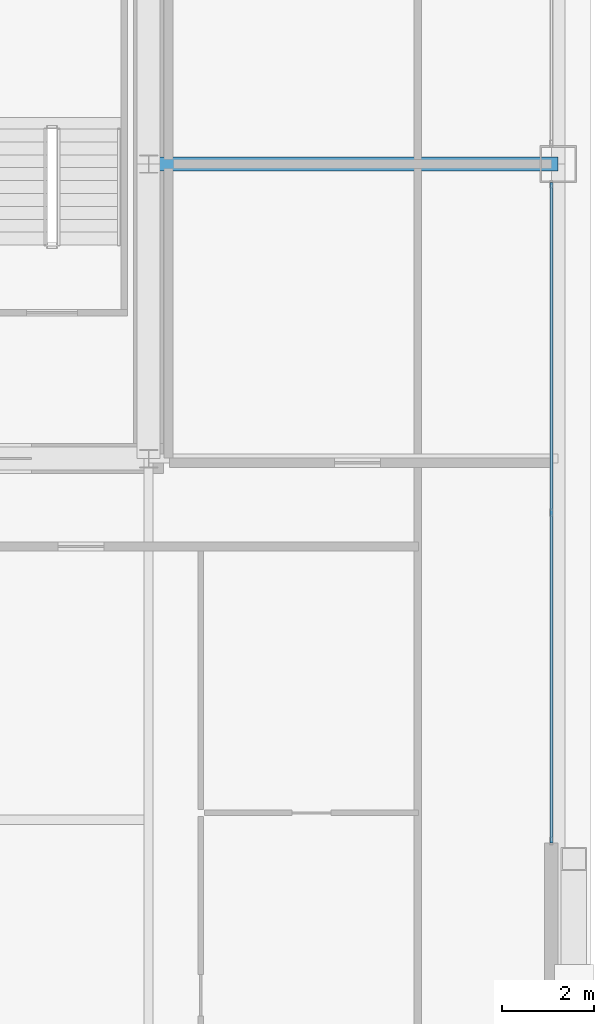
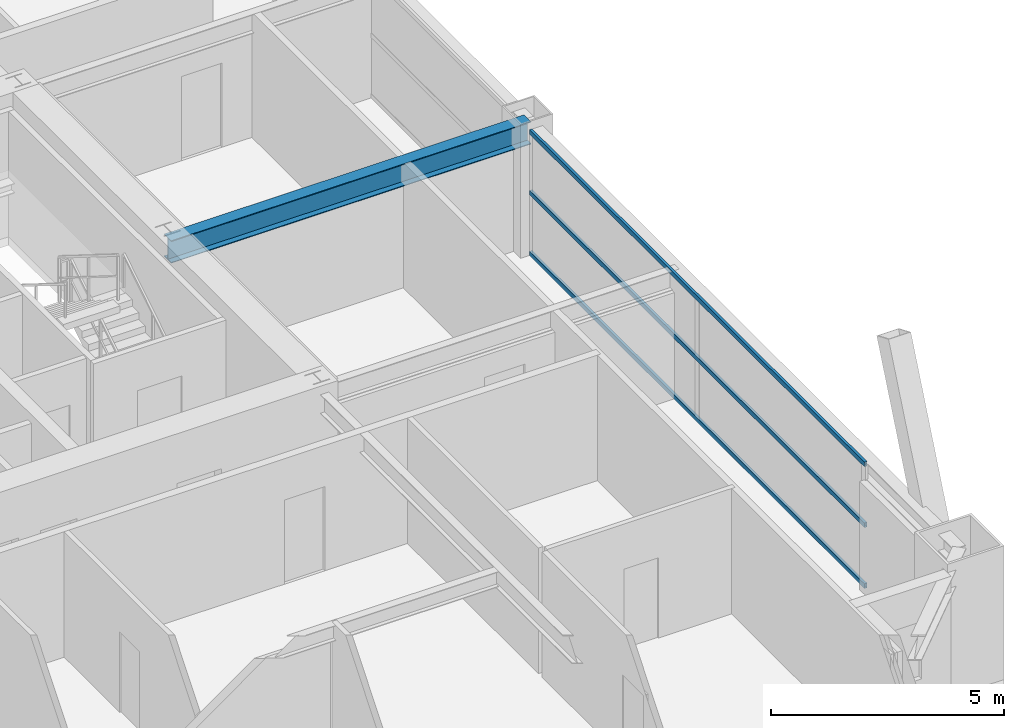
# One storey, part 25 of 45: 3 members, 1 beam, 1 element without a shape of its own.
"""IFC4 building model written with IfcOpenShell, lengths in metres."""

from ifc_helpers import new_model, si_unit, direction, frame, origin, origin_2d, place, context, subcontext, project, spatial, hollow_rectangle, i_section, extrude, source, transform, mapped, material, layer, layer_set, material_profile, profile_set, type_object, element, aggregate, save


model = new_model("IFC4")

# Units and contexts
model_context = context("Model", 3, precision=1e-05, world=origin(), true_north=direction((0.0, 1.0)))
body_context = subcontext(model_context, "Body", "Model", "MODEL_VIEW")
ifc_project = project(units=[si_unit("LENGTHUNIT", "METRE"), si_unit("AREAUNIT", "SQUARE_METRE"), si_unit("VOLUMEUNIT", "CUBIC_METRE"), si_unit("PLANEANGLEUNIT", "RADIAN"), si_unit("MASSUNIT", "GRAM", prefix="KILO"), si_unit("THERMODYNAMICTEMPERATUREUNIT", "KELVIN"), si_unit("POWERUNIT", "WATT")], contexts=[model_context])

# Site, building, storey
site_placement = place(None, origin())
site = spatial("IfcSite", under=ifc_project, at=site_placement, CompositionType="ELEMENT")
building_placement = place(site_placement, origin())
building = spatial("IfcBuilding", under=site, at=building_placement, Name="Yuzanri Waterfront Tower", CompositionType="ELEMENT")
storey_placement = place(building_placement, frame((0.0, 0.0, 212.5)))
storey = spatial("IfcBuildingStorey", under=building, at=storey_placement, Name="L56", CompositionType="ELEMENT", Elevation=212.5)

# Beam
ifc_material_1 = material(Name="Steel Q355B", Category="steel")
ifc_material_profile_1 = material_profile(ifc_material_1, i_section(OverallWidth=0.300048828125, OverallDepth=0.587890625, WebThickness=0.011962890625, FlangeThickness=0.02001953125, at=origin_2d()), Name="HM 588x300x12x20")
ifc_profile_set_1 = profile_set([ifc_material_profile_1], Name="Steel Q355B")
beam_type = type_object("IfcBeamType", Name="Primary Floor Girder Q355B HM 588x300", PredefinedType="BEAM", material=ifc_profile_set_1)
shared_shape_1 = source(origin(), body_context, "Body", "SweptSolid", [
    extrude(i_section(OverallWidth=0.300048828125, OverallDepth=0.587890625, WebThickness=0.011962890625, FlangeThickness=0.02001953125, at=origin_2d()), origin(), (0.0, 0.0, 1.0), 8.900146484375),
])
beam_placement = place(storey_placement, frame((50.199951171875, 25.800048828125, 2.986083984375), z_axis=(1.0, 0.0, 0.0), x_axis=(0.0, 1.0, 0.0)))
element("IfcBeam", 1, at=beam_placement, inside=storey, type_object=beam_type, Name="L56 East Grid Girder", PredefinedType="BEAM", context=body_context, shape_type="MappedRepresentation", body=[
    mapped(shared_shape_1, transform((0.0, 0.0, 0.0), scale=1.0)),
])

# Curtain wall, members
ifc_material_2 = material(Name="Anodized Architectural Bronze", Category="metal")
ifc_layer = layer(ifc_material_2, 0.159912109375)
ifc_layer_set = layer_set([ifc_layer], Name="Anodized Architectural Bronze")
curtain_wall_type = type_object("IfcCurtainWallType", Name="Anodized Bronze Mid-Rise Residential Acoustic Unitized Curtain Wall 7200", PredefinedType="NOTDEFINED", material=ifc_layer_set)
curtain_wall_placement = place(storey_placement, origin())
curtain_wall = element("IfcCurtainWall", 2, at=curtain_wall_placement, inside=storey, type_object=curtain_wall_type, Name="L56 Curtain Wall CW-L56-EL", PredefinedType="NOTDEFINED")
ifc_material_3 = material(Name="Anodized Architectural Bronze", Category="metal")
ifc_material_profile_2 = material_profile(ifc_material_3, hollow_rectangle(XDim=0.06494140625, YDim=0.1201171875, WallThickness=0.00341796875, at=origin_2d()), Name="CWT 65x120")
ifc_profile_set_2 = profile_set([ifc_material_profile_2], Name="Anodized Architectural Bronze")
member_type = type_object("IfcMemberType", Name="Anodized Bronze Secondary Curtain-Wall Transom 65x120", PredefinedType="USERDEFINED", material=ifc_profile_set_2)
shared_shape_2 = source(origin(), body_context, "Body", "SweptSolid", [
    extrude(hollow_rectangle(XDim=0.06494140625, YDim=0.1201171875, WallThickness=0.00341796875, at=origin_2d()), origin(), (0.0, 0.0, 1.0), 14.349853515625),
])
member_1_placement = place(storey_placement, frame((58.949951171875, 11.050048828125, 0.050048828125), z_axis=(0.0, 1.0, 0.0), x_axis=(-1.0, 0.0, 0.0)))
member_1 = element("IfcMember", 3, at=member_1_placement, type_object=member_type, Name="CW-L56-EL Transom 1", ObjectType="TRANSOM", PredefinedType="USERDEFINED", context=body_context, shape_type="MappedRepresentation", body=[
    mapped(shared_shape_2, transform((0.0, 0.0, 0.0), scale=1.0)),
])
member_2_placement = place(storey_placement, frame((58.949951171875, 11.050048828125, 1.639892578125), z_axis=(0.0, 1.0, 0.0), x_axis=(-1.0, 0.0, 0.0)))
member_2 = element("IfcMember", 4, at=member_2_placement, type_object=member_type, Name="CW-L56-EL Transom 2", ObjectType="TRANSOM", PredefinedType="USERDEFINED", context=body_context, shape_type="MappedRepresentation", body=[
    mapped(shared_shape_2, transform((0.0, 0.0, 0.0), scale=1.0)),
])
member_3_placement = place(storey_placement, frame((58.949951171875, 11.050048828125, 3.22998046875), z_axis=(0.0, 1.0, 0.0), x_axis=(-1.0, 0.0, 0.0)))
member_3 = element("IfcMember", 5, at=member_3_placement, type_object=member_type, Name="CW-L56-EL Transom 3", ObjectType="TRANSOM", PredefinedType="USERDEFINED", context=body_context, shape_type="MappedRepresentation", body=[
    mapped(shared_shape_2, transform((0.0, 0.0, 0.0), scale=1.0)),
])
aggregate(curtain_wall, [member_1, member_2, member_3])

save(model, "model.ifc")
